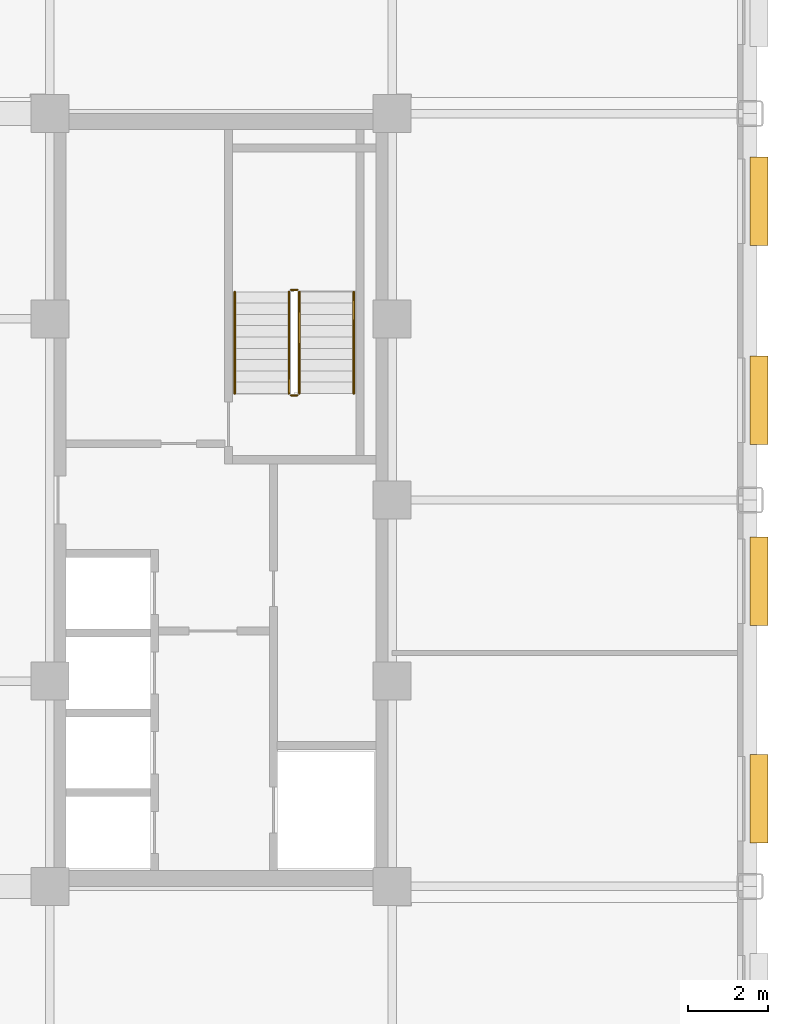
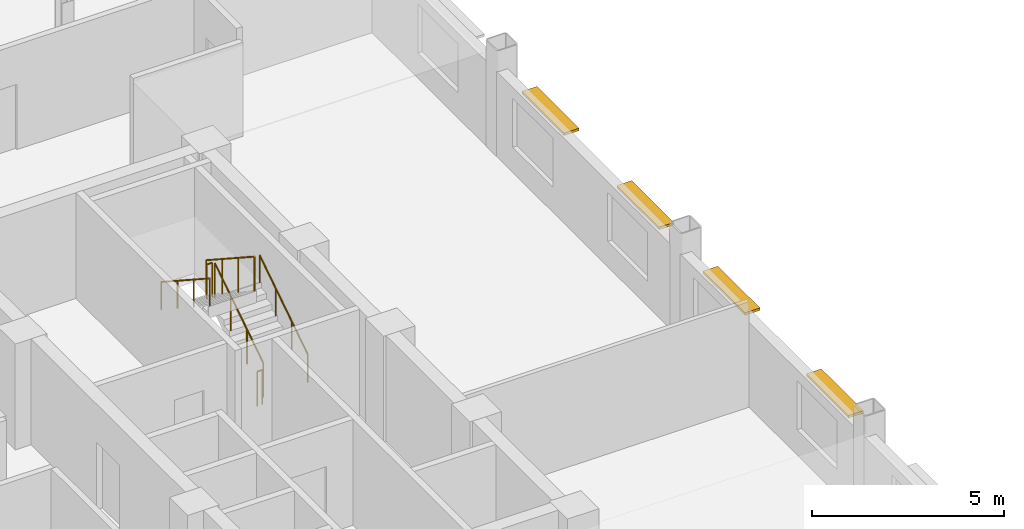
# One storey, part 13 of 14: 6 railings, 4 shading devices.
"""IFC4 building model written with IfcOpenShell, lengths in metres."""

from ifc_helpers import new_model, si_unit, direction, frame, origin, origin_2d, place, context, subcontext, project, spatial, rectangle, circle, extrude, source, transform, mapped, material, type_object, type_shapes, element, save


model = new_model("IFC4")

# Units and contexts
model_context = context("Model", 3, precision=1e-05, world=origin(), true_north=direction((0.0, 1.0)))
body_context = subcontext(model_context, "Body", "Model", "MODEL_VIEW")
ifc_project = project(units=[si_unit("LENGTHUNIT", "METRE"), si_unit("AREAUNIT", "SQUARE_METRE"), si_unit("VOLUMEUNIT", "CUBIC_METRE"), si_unit("PLANEANGLEUNIT", "RADIAN"), si_unit("MASSUNIT", "GRAM", prefix="KILO")], contexts=[model_context])

# Site, building, storey
site_placement = place(None, origin())
site = spatial("IfcSite", under=ifc_project, at=site_placement, CompositionType="ELEMENT")
building_placement = place(site_placement, origin())
building = spatial("IfcBuilding", under=site, at=building_placement, Name="Nuvemarco Arch Tower", CompositionType="ELEMENT")
storey_placement = place(building_placement, frame((0.0, 0.0, 131.14990234375)))
storey = spatial("IfcBuildingStorey", under=building, at=storey_placement, Name="L34", CompositionType="ELEMENT", Elevation=131.14990234375)

# Railings
ifc_material_1 = material(Name="Brushed stainless steel handrail", Category="steel")
railing_type_1 = type_object("IfcRailingType", Name="RL-HANDRAIL-900", PredefinedType="HANDRAIL", material=ifc_material_1)
railing_1_placement = place(storey_placement, frame((16.550048828125, 2.64990234375, 0.1826171875)))
element("IfcRailing", 1, at=railing_1_placement, inside=storey, type_object=railing_type_1, Name="L34 ST-2 stair handrail 1", PredefinedType="HANDRAIL", context=body_context, shape_type="SweptSolid", body=[
    extrude(circle(Radius=0.02392578125, at=origin_2d()), frame((0.0, 0.0, 0.8759765625), z_axis=(0.0, 0.837749427056, 0.546054848405), x_axis=(-1.0, 0.0, 0.0)), (0.0, 0.0, 1.0), 3.008056640625),
    extrude(circle(Radius=0.02099609375, at=origin_2d()), origin(), (0.0, 0.0, 1.0), 0.851806640625),
    extrude(circle(Radius=0.02099609375, at=origin_2d()), frame((0.0, 0.840087890625, 0.547607421875)), (0.0, 0.0, 1.0), 0.851806640625),
    extrude(circle(Radius=0.02099609375, at=origin_2d()), frame((0.0, 1.679931640625, 1.094970703125)), (0.0, 0.0, 1.0), 0.851806640625),
    extrude(circle(Radius=0.02099609375, at=origin_2d()), frame((0.0, 2.52001953125, 1.642578125)), (0.0, 0.0, 1.0), 0.851806640625),
])
railing_2_placement = place(storey_placement, frame((13.590087890625, 5.169921875, 2.007568359375)))
element("IfcRailing", 2, at=railing_2_placement, inside=storey, type_object=railing_type_1, Name="L34 ST-2 stair handrail 2", PredefinedType="HANDRAIL", context=body_context, shape_type="SweptSolid", body=[
    extrude(circle(Radius=0.02392578125, at=origin_2d()), frame((0.0, 0.0, 0.8759765625), z_axis=(0.0, -0.837749427056, 0.546054848405), x_axis=(1.0, 0.0, 0.0)), (0.0, 0.0, 1.0), 3.008056640625),
    extrude(circle(Radius=0.02099609375, at=origin_2d()), origin(), (0.0, 0.0, 1.0), 0.851806640625),
    extrude(circle(Radius=0.02099609375, at=origin_2d()), frame((0.0, -0.840087890625, 0.547607421875)), (0.0, 0.0, 1.0), 0.851806640625),
    extrude(circle(Radius=0.02099609375, at=origin_2d()), frame((0.0, -1.679931640625, 1.094970703125)), (0.0, 0.0, 1.0), 0.851806640625),
    extrude(circle(Radius=0.02099609375, at=origin_2d()), frame((0.0, -2.52001953125, 1.642578125)), (0.0, 0.0, 1.0), 0.851806640625),
])
ifc_material_2 = material(Name="Painted balustrade steel S355", Category="steel")
railing_type_2 = type_object("IfcRailingType", Name="RL-STAIR-GUARD", PredefinedType="GUARDRAIL", material=ifc_material_2)
railing_3_placement = place(storey_placement, frame((15.199951171875, 2.64990234375, 0.1826171875)))
element("IfcRailing", 3, at=railing_3_placement, inside=storey, type_object=railing_type_2, Name="L34 ST-2 stair guard 1", PredefinedType="GUARDRAIL", context=body_context, shape_type="SweptSolid", body=[
    extrude(circle(Radius=0.02392578125, at=origin_2d()), frame((0.0, 0.0, 1.09619140625), z_axis=(0.0, 0.837749427056, 0.546054848405), x_axis=(-1.0, 0.0, 0.0)), (0.0, 0.0, 1.0), 3.008056640625),
    extrude(circle(Radius=0.02099609375, at=origin_2d()), origin(), (0.0, 0.0, 1.0), 1.072021484375),
    extrude(circle(Radius=0.02099609375, at=origin_2d()), frame((0.0, 0.840087890625, 0.547607421875)), (0.0, 0.0, 1.0), 1.072021484375),
    extrude(circle(Radius=0.02099609375, at=origin_2d()), frame((0.0, 1.679931640625, 1.094970703125)), (0.0, 0.0, 1.0), 1.072021484375),
    extrude(circle(Radius=0.02099609375, at=origin_2d()), frame((0.0, 2.52001953125, 1.642578125)), (0.0, 0.0, 1.0), 1.072021484375),
])
railing_4_placement = place(storey_placement, frame((15.14990234375, 5.219970703125, 1.8251953125)))
element("IfcRailing", 4, at=railing_4_placement, inside=storey, type_object=railing_type_2, Name="L34 ST-2 stair guard 2", PredefinedType="GUARDRAIL", context=body_context, shape_type="SweptSolid", body=[
    extrude(circle(Radius=0.02392578125, at=origin_2d()), frame((0.0, 0.0, 1.09619140625), z_axis=(-1.0, 0.0, 0.0), x_axis=(0.0, -1.0, 0.0)), (0.0, 0.0, 1.0), 0.159912109375),
    extrude(circle(Radius=0.02099609375, at=origin_2d()), origin(), (0.0, 0.0, 1.0), 1.072021484375),
    extrude(circle(Radius=0.02099609375, at=origin_2d()), frame((-0.159912109375, 0.0, 0.0)), (0.0, 0.0, 1.0), 1.072021484375),
])
railing_5_placement = place(storey_placement, frame((14.93994140625, 5.169921875, 2.007568359375)))
element("IfcRailing", 5, at=railing_5_placement, inside=storey, type_object=railing_type_2, Name="L34 ST-2 stair guard 3", PredefinedType="GUARDRAIL", context=body_context, shape_type="SweptSolid", body=[
    extrude(circle(Radius=0.02392578125, at=origin_2d()), frame((0.0, 0.0, 1.09619140625), z_axis=(0.0, -0.837749427056, 0.546054848405), x_axis=(1.0, 0.0, 0.0)), (0.0, 0.0, 1.0), 3.008056640625),
    extrude(circle(Radius=0.02099609375, at=origin_2d()), origin(), (0.0, 0.0, 1.0), 1.072021484375),
    extrude(circle(Radius=0.02099609375, at=origin_2d()), frame((0.0, -0.840087890625, 0.547607421875)), (0.0, 0.0, 1.0), 1.072021484375),
    extrude(circle(Radius=0.02099609375, at=origin_2d()), frame((0.0, -1.679931640625, 1.094970703125)), (0.0, 0.0, 1.0), 1.072021484375),
    extrude(circle(Radius=0.02099609375, at=origin_2d()), frame((0.0, -2.52001953125, 1.642578125)), (0.0, 0.0, 1.0), 1.072021484375),
])
railing_6_placement = place(storey_placement, frame((15.14990234375, 2.60009765625, 0.0)))
element("IfcRailing", 6, at=railing_6_placement, inside=storey, type_object=railing_type_2, Name="L34 ST-2 stair guard 4", PredefinedType="GUARDRAIL", context=body_context, shape_type="SweptSolid", body=[
    extrude(circle(Radius=0.02392578125, at=origin_2d()), frame((0.0, 0.0, 1.09619140625), z_axis=(-1.0, 0.0, 0.0), x_axis=(0.0, -1.0, 0.0)), (0.0, 0.0, 1.0), 0.159912109375),
    extrude(circle(Radius=0.02099609375, at=origin_2d()), origin(), (0.0, 0.0, 1.0), 1.072021484375),
    extrude(circle(Radius=0.02099609375, at=origin_2d()), frame((-0.159912109375, 0.0, 0.0)), (0.0, 0.0, 1.0), 1.072021484375),
])

# Shading devices
ifc_material_3 = material(Name="Anodised aluminium 6063-T6", Category="aluminium")
shading_device_type = type_object("IfcShadingDeviceType", Name="SHD-BRISE-SOLEIL", PredefinedType="USERDEFINED", material=ifc_material_3)
shared_shape = source(origin(), body_context, "Body", "SweptSolid", [
    extrude(rectangle(XDim=2.199951171875, YDim=0.449951171875, at=origin_2d()), origin(), (0.0, 0.0, 1.0), 0.080078125),
])
type_shapes(shading_device_type, [shared_shape])
for number, where, z_axis, x_axis, name in (
    (7, (26.614990234375, -7.4189453125, 2.364990234375), (0.0, 0.0, 1.0), (0.0, 1.0, 0.0), "L34 horizontal brise-soleil sunshade"),
    (8, (26.614990234375, -2.02294921875, 2.364990234375), (0.0, 0.0, 1.0), (0.0, 1.0, 0.0), "L34 horizontal brise-soleil sunshade"),
    (9, (26.614990234375, 2.472900390625, 2.364990234375), (0.0, 0.0, 1.0), (0.0, 1.0, 0.0), "L34 horizontal brise-soleil sunshade"),
    (10, (26.614990234375, 7.4189453125, 2.364990234375), (0.0, 0.0, 1.0), (0.0, 1.0, 0.0), "L34 horizontal brise-soleil sunshade"),
):
    element("IfcShadingDevice", number, at=place(storey_placement, frame(where, z_axis=z_axis, x_axis=x_axis)), inside=storey, type_object=shading_device_type, Name=name, ObjectType="SUNSHADE", PredefinedType="USERDEFINED", context=body_context, shape_type="MappedRepresentation", body=[
        mapped(shared_shape, transform((0.0, 0.0, 0.0), scale=1.0)),
    ])

save(model, "model.ifc")
